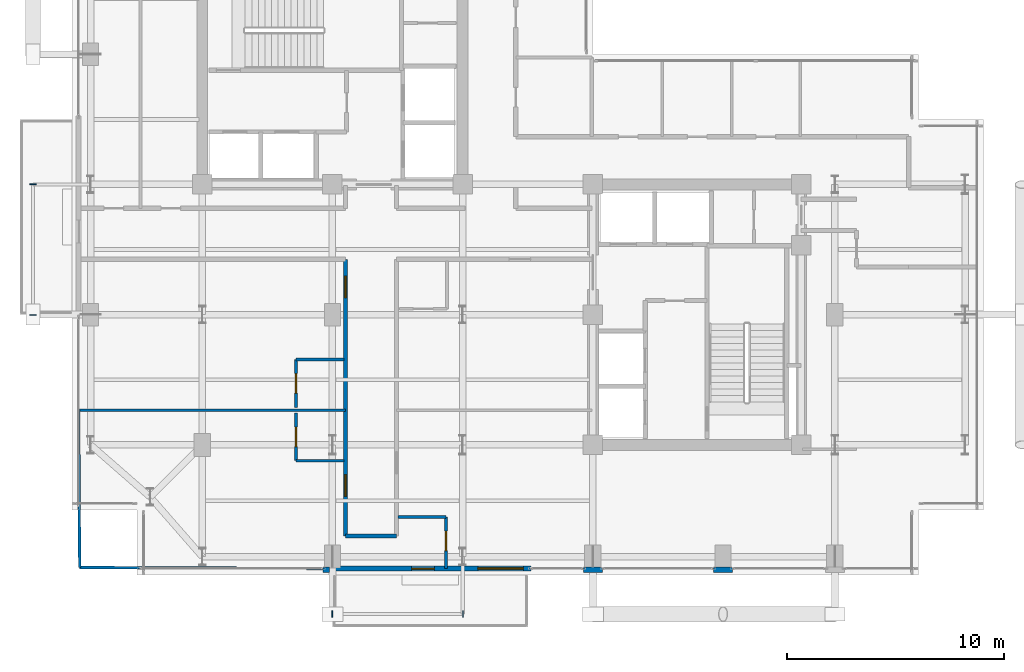
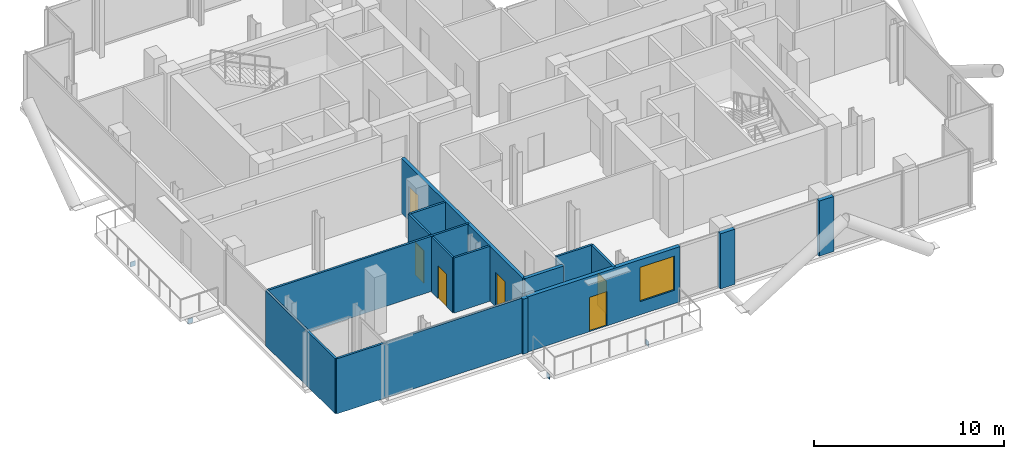
# One storey, part 16 of 21: 15 walls, 6 doors, 4 plates, 1 window, 7 openings.
"""IFC4 building model written with IfcOpenShell, lengths in metres."""

from ifc_helpers import new_model, si_unit, direction, frame, frame_2d, origin, origin_2d, place, context, subcontext, project, spatial, rectangle, extrude, material, layer, layer_set, type_object, element, fill, save


model = new_model("IFC4")

# Units and contexts
model_context = context("Model", 3, precision=1e-05, world=origin(), true_north=direction((0.0, 1.0)))
body_context = subcontext(model_context, "Body", "Model", "MODEL_VIEW")
ifc_project = project(units=[si_unit("LENGTHUNIT", "METRE"), si_unit("AREAUNIT", "SQUARE_METRE"), si_unit("VOLUMEUNIT", "CUBIC_METRE"), si_unit("PLANEANGLEUNIT", "RADIAN"), si_unit("MASSUNIT", "GRAM", prefix="KILO"), si_unit("THERMODYNAMICTEMPERATUREUNIT", "KELVIN"), si_unit("POWERUNIT", "WATT")], contexts=[model_context])

# Site, building, storey
site_placement = place(None, origin())
site = spatial("IfcSite", under=ifc_project, at=site_placement, CompositionType="ELEMENT")
building_placement = place(site_placement, origin())
building = spatial("IfcBuilding", under=site, at=building_placement, Name="Svarakhadi Broadcast Tower", CompositionType="ELEMENT")
storey_placement = place(building_placement, frame((0.0, 0.0, 208.64990234375)))
storey = spatial("IfcBuildingStorey", under=building, at=storey_placement, Name="L51", CompositionType="ELEMENT", Elevation=208.64990234375)

# Plates
ifc_material_1 = material(Name="Steel S460ML (IS 2062 E450BR)", Category="steel")
ifc_layer_1 = layer(ifc_material_1, 0.028076171875)
ifc_layer_set_1 = layer_set([ifc_layer_1], Name="Steel S460ML (IS 2062 E450BR)")
plate_type = type_object("IfcPlateType", Name="Cap_Plate_CP02", PredefinedType="USERDEFINED", material=ifc_layer_set_1)
for number, where, z_axis, x_axis, name in (
    (1, (11.985107421875, -1.800048828125, -0.5048828125), (0.0, 0.0, 1.0), (1.0, 0.0, 0.0), "L51 Balcony Spandrel End Cap Plate 1F-A"),
    (2, (18.014892578125, -1.800048828125, -0.5048828125), (0.0, 0.0, 1.0), (1.0, 0.0, 0.0), "L51 Balcony Spandrel End Cap Plate 1F-B"),
):
    element("IfcPlate", number, at=place(storey_placement, frame(where, z_axis=z_axis, x_axis=x_axis)), inside=storey, type_object=plate_type, Name=name, ObjectType="FLANGE_PLATE", PredefinedType="USERDEFINED", context=body_context, shape_type="SweptSolid", body=[
        extrude(rectangle(XDim=0.0400390625, YDim=0.300048828125, at=origin_2d()), origin(), (0.0, 0.0, 1.0), 0.31005859375),
    ])
for number, where, z_axis, x_axis, name in (
    (3, (-1.800048828125, 11.985107421875, -0.5048828125), (0.0, 0.0, 1.0), (1.0, 0.0, 0.0), "L51 Balcony Spandrel End Cap Plate 2F-A"),
    (4, (-1.800048828125, 18.014892578125, -0.5048828125), (0.0, 0.0, 1.0), (1.0, 0.0, 0.0), "L51 Balcony Spandrel End Cap Plate 2F-B"),
):
    element("IfcPlate", number, at=place(storey_placement, frame(where, z_axis=z_axis, x_axis=x_axis)), inside=storey, type_object=plate_type, Name=name, ObjectType="FLANGE_PLATE", PredefinedType="USERDEFINED", context=body_context, shape_type="SweptSolid", body=[
        extrude(rectangle(XDim=0.300048828125, YDim=0.0400390625, at=origin_2d()), origin(), (0.0, 0.0, 1.0), 0.31005859375),
    ])

# Wall
ifc_material_2 = material(Name="Double-Stud Acoustic Studio Partition STC-62", Category="gypsum")
ifc_layer_2 = layer(ifc_material_2, 0.199951171875)
ifc_layer_set_2 = layer_set([ifc_layer_2], Name="Double-Stud Acoustic Studio Partition STC-62")
wall_type_1 = type_object("IfcWallType", Name="Wall_Acoust_200", PredefinedType="PARTITIONING", material=ifc_layer_set_2)
wall_1_placement = place(storey_placement, frame((14.949951171875, 1.800048828125, 0.0), z_axis=(0.0, 0.0, 1.0), x_axis=(-1.0, 0.0, 0.0)))
element("IfcWall", 5, at=wall_1_placement, inside=storey, type_object=wall_type_1, Name="L51 Upper Tower Concourse Wall", PredefinedType="PARTITIONING", context=body_context, shape_type="SweptSolid", body=[
    extrude(rectangle(XDim=2.349853515625, YDim=0.199951171875, at=frame_2d((1.1748046875, 0.0))), origin(), (0.0, 0.0, 1.0), 3.5400390625),
])

# Wall, openings, doors
wall_2_placement = place(storey_placement, frame((12.60009765625, 1.800048828125, 0.0), z_axis=(0.0, 0.0, 1.0), x_axis=(0.0, 1.0, 0.0)))
wall_2 = element("IfcWall", 6, at=wall_2_placement, inside=storey, type_object=wall_type_1, Name="L51 Upper Tower Concourse Wall", PredefinedType="PARTITIONING", context=body_context, shape_type="SweptSolid", body=[
    extrude(rectangle(XDim=12.75, YDim=0.199951171875, at=frame_2d((6.375, 0.0))), origin(), (0.0, 0.0, 1.0), 3.5400390625),
])
opening_1_placement = place(wall_2_placement, frame((1.824951171875, 0.0, 0.0)))
opening_1 = element("IfcOpeningElement", 7, at=opening_1_placement, cuts=wall_2, Name="Opening D-08", PredefinedType="OPENING", context=body_context, shape_type="SweptSolid", body=[
    extrude(rectangle(XDim=1.0, YDim=2.199951171875, at=frame_2d((0.5, 1.10009765625))), frame((0.0, 0.10986328125, 0.0), z_axis=(0.0, -1.0, 0.0), x_axis=(1.0, 0.0, 0.0)), (0.0, 0.0, 1.0), 0.219970703125),
])
opening_2_placement = place(wall_2_placement, frame((10.97998046875, 0.0, 0.0)))
opening_2 = element("IfcOpeningElement", 8, at=opening_2_placement, cuts=wall_2, Name="Opening D-09", PredefinedType="OPENING", context=body_context, shape_type="SweptSolid", body=[
    extrude(rectangle(XDim=1.0, YDim=2.199951171875, at=frame_2d((0.5, 1.10009765625))), frame((0.0, 0.10986328125, 0.0), z_axis=(0.0, -1.0, 0.0), x_axis=(1.0, 0.0, 0.0)), (0.0, 0.0, 1.0), 0.219970703125),
])
ifc_material_3 = material(Name="Solid-Core Teak Veneer Acoustic Timber Leaf", Category="wood")
door_type_1 = type_object("IfcDoorType", Name="Door_Suite_D08", OperationType="SINGLE_SWING_LEFT", PredefinedType="DOOR", material=ifc_material_3)
door_1_placement = place(opening_1_placement, origin())
door_1 = element("IfcDoor", 9, at=door_1_placement, inside=storey, type_object=door_type_1, Name="L51 Presidential Sea-View Corner Suite Entrance Door", OperationType="SINGLE_SWING_LEFT", OverallHeight=2.199951171875, OverallWidth=1.0, PredefinedType="DOOR", context=body_context, shape_type="SweptSolid", body=[
    extrude(rectangle(XDim=1.0, YDim=2.199951171875, at=frame_2d((0.5, 1.10009765625))), frame((0.0, 0.02490234375, 0.0), z_axis=(0.0, -1.0, 0.0), x_axis=(1.0, 0.0, 0.0)), (0.0, 0.0, 1.0), 0.050048828125),
])
fill(opening_1, door_1)
door_type_2 = type_object("IfcDoorType", Name="Door_Suite_D09", OperationType="SINGLE_SWING_RIGHT", PredefinedType="DOOR", material=ifc_material_3)
door_2_placement = place(opening_2_placement, origin())
door_2 = element("IfcDoor", 10, at=door_2_placement, inside=storey, type_object=door_type_2, Name="L51 Arabian Sea Executive Guest Suite Entrance Door", OperationType="SINGLE_SWING_RIGHT", OverallHeight=2.199951171875, OverallWidth=1.0, PredefinedType="DOOR", context=body_context, shape_type="SweptSolid", body=[
    extrude(rectangle(XDim=1.0, YDim=2.199951171875, at=frame_2d((0.5, 1.10009765625))), frame((0.0, 0.02490234375, 0.0), z_axis=(0.0, -1.0, 0.0), x_axis=(1.0, 0.0, 0.0)), (0.0, 0.0, 1.0), 0.050048828125),
])
fill(opening_2, door_2)

# Wall, openings, door, window
ifc_material_4 = material(Name="Concrete C40/50 (IS 456 M50)", Category="concrete")
ifc_layer_3 = layer(ifc_material_4, 0.239990234375)
ifc_layer_set_3 = layer_set([ifc_layer_3], Name="Concrete C40/50 (IS 456 M50)")
wall_type_2 = type_object("IfcWallType", Name="Wall_Ext_240", PredefinedType="SOLIDWALL", material=ifc_layer_set_3)
wall_3_placement = place(storey_placement, frame((21.14501953125, 0.300048828125, 0.0), z_axis=(0.0, 0.0, 1.0), x_axis=(-1.0, 0.0, 0.0)))
wall_3 = element("IfcWall", 11, at=wall_3_placement, inside=storey, type_object=wall_type_2, Name="L51 South Tree Balcony Spandrel Wall", PredefinedType="SOLIDWALL", context=body_context, shape_type="SweptSolid", body=[
    extrude(rectangle(XDim=9.2900390625, YDim=0.239990234375, at=frame_2d((4.64501953125, 0.0))), origin(), (0.0, 0.0, 1.0), 3.5400390625),
])
opening_3_placement = place(wall_3_placement, frame((4.449951171875, 0.0, 0.0)))
opening_3 = element("IfcOpeningElement", 12, at=opening_3_placement, cuts=wall_3, Name="Opening ED-05", PredefinedType="OPENING", context=body_context, shape_type="SweptSolid", body=[
    extrude(rectangle(XDim=1.050048828125, YDim=2.199951171875, at=frame_2d((0.52490234375, 1.10009765625))), frame((0.0, 0.1298828125, 0.0), z_axis=(0.0, -1.0, 0.0), x_axis=(1.0, 0.0, 0.0)), (0.0, 0.0, 1.0), 0.260009765625),
])
opening_4_placement = place(wall_3_placement, frame((0.35009765625, 0.0, 0.85009765625)))
opening_4 = element("IfcOpeningElement", 13, at=opening_4_placement, cuts=wall_3, Name="Opening WN-06", PredefinedType="OPENING", context=body_context, shape_type="SweptSolid", body=[
    extrude(rectangle(XDim=2.10009765625, YDim=2.199951171875, at=frame_2d((1.050048828125, 1.10009765625))), frame((0.0, 0.1298828125, 0.0), z_axis=(0.0, -1.0, 0.0), x_axis=(1.0, 0.0, 0.0)), (0.0, 0.0, 1.0), 0.260009765625),
])
ifc_material_5 = material(Name="Anodised Bronze Aluminium AA 6063-T6", Category="aluminium")
door_type_3 = type_object("IfcDoorType", Name="Door_Ext_ED05", OperationType="SINGLE_SWING_LEFT", PredefinedType="DOOR", material=ifc_material_5)
door_3_placement = place(opening_3_placement, origin())
door_3 = element("IfcDoor", 14, at=door_3_placement, inside=storey, type_object=door_type_3, Name="L51 South Tree Balcony Door", OperationType="SINGLE_SWING_LEFT", OverallHeight=2.199951171875, OverallWidth=1.050048828125, PredefinedType="DOOR", context=body_context, shape_type="SweptSolid", body=[
    extrude(rectangle(XDim=1.050048828125, YDim=2.199951171875, at=frame_2d((0.52490234375, 1.10009765625))), frame((0.0, 0.02490234375, 0.0), z_axis=(0.0, -1.0, 0.0), x_axis=(1.0, 0.0, 0.0)), (0.0, 0.0, 1.0), 0.050048828125),
])
fill(opening_3, door_3)
ifc_material_6 = material(Name="Double Low-E Laminated Acoustic Glass IGU 36 mm", Category="glass")
window_type = type_object("IfcWindowType", Name="Win_Hotel_WN06", PartitioningType="SINGLE_PANEL", PredefinedType="WINDOW", material=ifc_material_6)
window_placement = place(opening_4_placement, origin())
window = element("IfcWindow", 15, at=window_placement, inside=storey, type_object=window_type, Name="L51 South Tree Balcony Window", OverallHeight=2.199951171875, OverallWidth=2.10009765625, PartitioningType="SINGLE_PANEL", PredefinedType="WINDOW", context=body_context, shape_type="SweptSolid", body=[
    extrude(rectangle(XDim=2.10009765625, YDim=2.199951171875, at=frame_2d((1.050048828125, 1.10009765625))), frame((0.0, 0.030029296875, 0.0), z_axis=(0.0, -1.0, 0.0), x_axis=(1.0, 0.0, 0.0)), (0.0, 0.0, 1.0), 0.06005859375),
])
fill(opening_4, window)

# Walls
for number, where, z_axis, x_axis, name in (
    (16, (30.43994140625, 0.239990234375, 0.0), (0.0, 0.0, 1.0), (-1.0, 0.0, 0.0), "L51 Perimeter Bronze Spandrel Closure Wall 04"),
    (17, (24.43994140625, 0.239990234375, 0.0), (0.0, 0.0, 1.0), (-1.0, 0.0, 0.0), "L51 Perimeter Bronze Spandrel Closure Wall 05"),
):
    element("IfcWall", number, at=place(storey_placement, frame(where, z_axis=z_axis, x_axis=x_axis)), inside=storey, type_object=wall_type_2, Name=name, PredefinedType="SOLIDWALL", context=body_context, shape_type="SweptSolid", body=[
        extrude(rectangle(XDim=0.8798828125, YDim=0.239990234375, at=frame_2d((0.43994140625, 0.0))), origin(), (0.0, 0.0, 1.0), 3.5400390625),
    ])
wall_4_placement = place(storey_placement, frame((11.85498046875, 0.239990234375, 0.0), z_axis=(0.0, 0.0, 1.0), x_axis=(-1.0, 0.0, 0.0)))
element("IfcWall", 18, at=wall_4_placement, inside=storey, type_object=wall_type_2, Name="L51 Perimeter Bronze Spandrel Closure Wall 06", PredefinedType="SOLIDWALL", context=body_context, shape_type="SweptSolid", body=[
    extrude(rectangle(XDim=0.294921875, YDim=0.239990234375, at=frame_2d((0.1474609375, 0.0))), origin(), (0.0, 0.0, 1.0), 3.5400390625),
])
ifc_material_7 = material(Name="Fire-Rated Moisture-Resistant Gypsum Board Partition", Category="gypsum")
ifc_layer_4 = layer(ifc_material_7, 0.125)
ifc_layer_set_4 = layer_set([ifc_layer_4], Name="Fire-Rated Moisture-Resistant Gypsum Board Partition")
wall_type_3 = type_object("IfcWallType", Name="Wall_Part_125", PredefinedType="PARTITIONING", material=ifc_layer_set_4)
wall_5_placement = place(storey_placement, frame((0.35009765625, 0.35009765625, 0.0), z_axis=(0.0, 0.0, 1.0), x_axis=(0.999991617913, -0.004094398993, 0.0)))
element("IfcWall", 19, at=wall_5_placement, inside=storey, type_object=wall_type_3, Name="L51 Presidential Sea-View Corner Suite Wall", PredefinedType="PARTITIONING", context=body_context, shape_type="SweptSolid", body=[
    extrude(rectangle(XDim=11.2099609375, YDim=0.125, at=frame_2d((5.60498046875, 0.0))), origin(), (0.0, 0.0, 1.0), 3.5400390625),
])
wall_6_placement = place(storey_placement, frame((0.300048828125, 7.60009765625, 0.0), z_axis=(0.0, 0.0, 1.0), x_axis=(1.0, 0.0, 0.0)))
element("IfcWall", 20, at=wall_6_placement, inside=storey, type_object=wall_type_3, Name="L51 Presidential Sea-View Corner Suite Wall", PredefinedType="PARTITIONING", context=body_context, shape_type="SweptSolid", body=[
    extrude(rectangle(XDim=12.300048828125, YDim=0.125, at=frame_2d((6.14990234375, 0.0))), origin(), (0.0, 0.0, 1.0), 3.5400390625),
])
wall_7_placement = place(storey_placement, frame((0.35009765625, 0.35009765625, 0.0), z_axis=(0.0, 0.0, 1.0), x_axis=(-0.006903122154, 0.999976173168, 0.0)))
element("IfcWall", 21, at=wall_7_placement, inside=storey, type_object=wall_type_3, Name="L51 Presidential Sea-View Corner Suite Wall", PredefinedType="PARTITIONING", context=body_context, shape_type="SweptSolid", body=[
    extrude(rectangle(XDim=7.250244140625, YDim=0.125, at=frame_2d((3.625, 0.0))), origin(), (0.0, 0.0, 1.0), 3.5400390625),
])
wall_8_placement = place(storey_placement, frame((10.320068359375, 5.27001953125, 0.0), z_axis=(0.0, 0.0, 1.0), x_axis=(1.0, 0.0, 0.0)))
element("IfcWall", 22, at=wall_8_placement, inside=storey, type_object=wall_type_3, Name="L51 Presidential Sea-View Corner Suite En-Suite Wall", PredefinedType="PARTITIONING", context=body_context, shape_type="SweptSolid", body=[
    extrude(rectangle(XDim=2.199951171875, YDim=0.125, at=frame_2d((1.10009765625, 0.0))), origin(), (0.0, 0.0, 1.0), 3.5400390625),
])

# Wall, opening, door
wall_9_placement = place(storey_placement, frame((10.320068359375, 5.27001953125, 0.0), z_axis=(0.0, 0.0, 1.0), x_axis=(0.0, 1.0, 0.0)))
wall_9 = element("IfcWall", 23, at=wall_9_placement, inside=storey, type_object=wall_type_3, Name="L51 Presidential Sea-View Corner Suite En-Suite Wall", PredefinedType="PARTITIONING", context=body_context, shape_type="SweptSolid", body=[
    extrude(rectangle(XDim=2.199951171875, YDim=0.125, at=frame_2d((1.10009765625, 0.0))), origin(), (0.0, 0.0, 1.0), 3.5400390625),
])
opening_5_placement = place(wall_9_placement, frame((0.64990234375, 0.0, 0.0)))
opening_5 = element("IfcOpeningElement", 24, at=opening_5_placement, cuts=wall_9, Name="Opening D-12", PredefinedType="OPENING", context=body_context, shape_type="SweptSolid", body=[
    extrude(rectangle(XDim=0.89990234375, YDim=2.10009765625, at=frame_2d((0.449951171875, 1.050048828125))), frame((0.0, 0.072509765625, 0.0), z_axis=(0.0, -1.0, 0.0), x_axis=(1.0, 0.0, 0.0)), (0.0, 0.0, 1.0), 0.14501953125),
])
door_type_4 = type_object("IfcDoorType", Name="Door_WC_D01", OperationType="SINGLE_SWING_LEFT", PredefinedType="DOOR", material=ifc_material_3)
door_4_placement = place(opening_5_placement, origin())
door_4 = element("IfcDoor", 25, at=door_4_placement, inside=storey, type_object=door_type_4, Name="L51 Presidential Sea-View Corner Suite En-Suite Door", OperationType="SINGLE_SWING_LEFT", OverallHeight=2.10009765625, OverallWidth=0.89990234375, PredefinedType="DOOR", context=body_context, shape_type="SweptSolid", body=[
    extrude(rectangle(XDim=0.89990234375, YDim=2.10009765625, at=frame_2d((0.449951171875, 1.050048828125))), frame((0.0, 0.02490234375, 0.0), z_axis=(0.0, -1.0, 0.0), x_axis=(1.0, 0.0, 0.0)), (0.0, 0.0, 1.0), 0.050048828125),
])
fill(opening_5, door_4)

# Wall
wall_10_placement = place(storey_placement, frame((10.320068359375, 9.929931640625, 0.0), z_axis=(0.0, 0.0, 1.0), x_axis=(1.0, 0.0, 0.0)))
element("IfcWall", 26, at=wall_10_placement, inside=storey, type_object=wall_type_3, Name="L51 Arabian Sea Executive Guest Suite En-Suite Wall", PredefinedType="PARTITIONING", context=body_context, shape_type="SweptSolid", body=[
    extrude(rectangle(XDim=2.199951171875, YDim=0.125, at=frame_2d((1.10009765625, 0.0))), origin(), (0.0, 0.0, 1.0), 3.5400390625),
])

# Wall, opening, door
wall_11_placement = place(storey_placement, frame((10.320068359375, 7.72998046875, 0.0), z_axis=(0.0, 0.0, 1.0), x_axis=(0.0, 1.0, 0.0)))
wall_11 = element("IfcWall", 27, at=wall_11_placement, inside=storey, type_object=wall_type_3, Name="L51 Arabian Sea Executive Guest Suite En-Suite Wall", PredefinedType="PARTITIONING", context=body_context, shape_type="SweptSolid", body=[
    extrude(rectangle(XDim=2.199951171875, YDim=0.125, at=frame_2d((1.10009765625, 0.0))), origin(), (0.0, 0.0, 1.0), 3.5400390625),
])
opening_6_placement = place(wall_11_placement, frame((0.64990234375, 0.0, 0.0)))
opening_6 = element("IfcOpeningElement", 28, at=opening_6_placement, cuts=wall_11, Name="Opening D-13", PredefinedType="OPENING", context=body_context, shape_type="SweptSolid", body=[
    extrude(rectangle(XDim=0.89990234375, YDim=2.10009765625, at=frame_2d((0.449951171875, 1.050048828125))), frame((0.0, 0.072509765625, 0.0), z_axis=(0.0, -1.0, 0.0), x_axis=(1.0, 0.0, 0.0)), (0.0, 0.0, 1.0), 0.14501953125),
])
door_type_5 = type_object("IfcDoorType", Name="Door_Closet_D13", OperationType="SINGLE_SWING_RIGHT", PredefinedType="DOOR", material=ifc_material_3)
door_5_placement = place(opening_6_placement, origin())
door_5 = element("IfcDoor", 29, at=door_5_placement, inside=storey, type_object=door_type_5, Name="L51 Arabian Sea Executive Guest Suite En-Suite Door", OperationType="SINGLE_SWING_RIGHT", OverallHeight=2.10009765625, OverallWidth=0.89990234375, PredefinedType="DOOR", context=body_context, shape_type="SweptSolid", body=[
    extrude(rectangle(XDim=0.89990234375, YDim=2.10009765625, at=frame_2d((0.449951171875, 1.050048828125))), frame((0.0, 0.02490234375, 0.0), z_axis=(0.0, -1.0, 0.0), x_axis=(1.0, 0.0, 0.0)), (0.0, 0.0, 1.0), 0.050048828125),
])
fill(opening_6, door_5)

# Wall
wall_12_placement = place(storey_placement, frame((15.030029296875, 2.679931640625, 0.0), z_axis=(0.0, 0.0, 1.0), x_axis=(1.0, 0.0, 0.0)))
element("IfcWall", 30, at=wall_12_placement, inside=storey, type_object=wall_type_3, Name="L51 South Harbour Junior Suite En-Suite Wall", PredefinedType="PARTITIONING", context=body_context, shape_type="SweptSolid", body=[
    extrude(rectangle(XDim=2.199951171875, YDim=0.125, at=frame_2d((1.10009765625, 0.0))), origin(), (0.0, 0.0, 1.0), 3.5400390625),
])

# Wall, opening, door
wall_13_placement = place(storey_placement, frame((17.22998046875, 0.300048828125, 0.0), z_axis=(0.0, 0.0, 1.0), x_axis=(0.0, 1.0, 0.0)))
wall_13 = element("IfcWall", 31, at=wall_13_placement, inside=storey, type_object=wall_type_3, Name="L51 South Harbour Junior Suite En-Suite Wall", PredefinedType="PARTITIONING", context=body_context, shape_type="SweptSolid", body=[
    extrude(rectangle(XDim=2.3798828125, YDim=0.125, at=frame_2d((1.18994140625, 0.0))), origin(), (0.0, 0.0, 1.0), 3.5400390625),
])
opening_7_placement = place(wall_13_placement, frame((0.830078125, 0.0, 0.0)))
opening_7 = element("IfcOpeningElement", 32, at=opening_7_placement, cuts=wall_13, Name="Opening D-13", PredefinedType="OPENING", context=body_context, shape_type="SweptSolid", body=[
    extrude(rectangle(XDim=0.89990234375, YDim=2.10009765625, at=frame_2d((0.449951171875, 1.050048828125))), frame((0.0, 0.072509765625, 0.0), z_axis=(0.0, -1.0, 0.0), x_axis=(1.0, 0.0, 0.0)), (0.0, 0.0, 1.0), 0.14501953125),
])
door_6_placement = place(opening_7_placement, origin())
door_6 = element("IfcDoor", 33, at=door_6_placement, inside=storey, type_object=door_type_5, Name="L51 South Harbour Junior Suite En-Suite Door", OperationType="SINGLE_SWING_RIGHT", OverallHeight=2.10009765625, OverallWidth=0.89990234375, PredefinedType="DOOR", context=body_context, shape_type="SweptSolid", body=[
    extrude(rectangle(XDim=0.89990234375, YDim=2.10009765625, at=frame_2d((0.449951171875, 1.050048828125))), frame((0.0, 0.02490234375, 0.0), z_axis=(0.0, -1.0, 0.0), x_axis=(1.0, 0.0, 0.0)), (0.0, 0.0, 1.0), 0.050048828125),
])
fill(opening_7, door_6)

save(model, "model.ifc")
